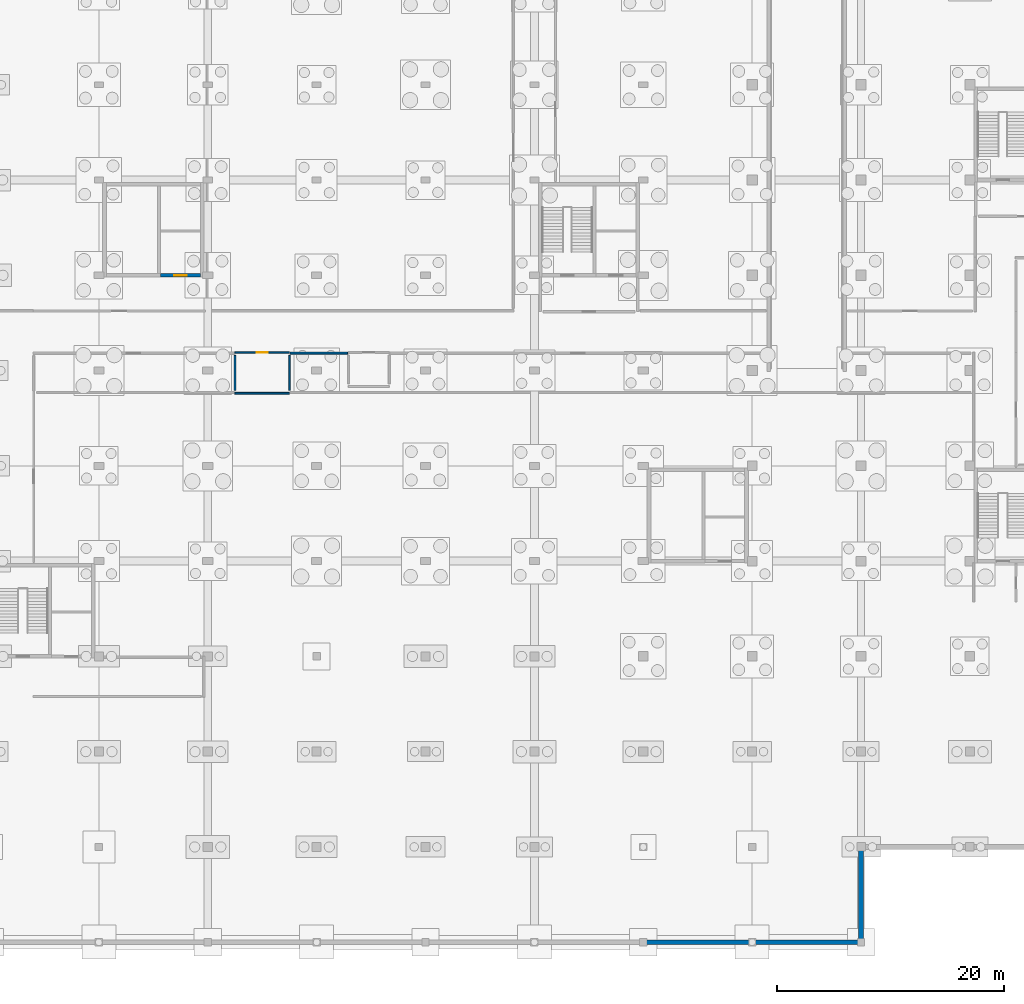
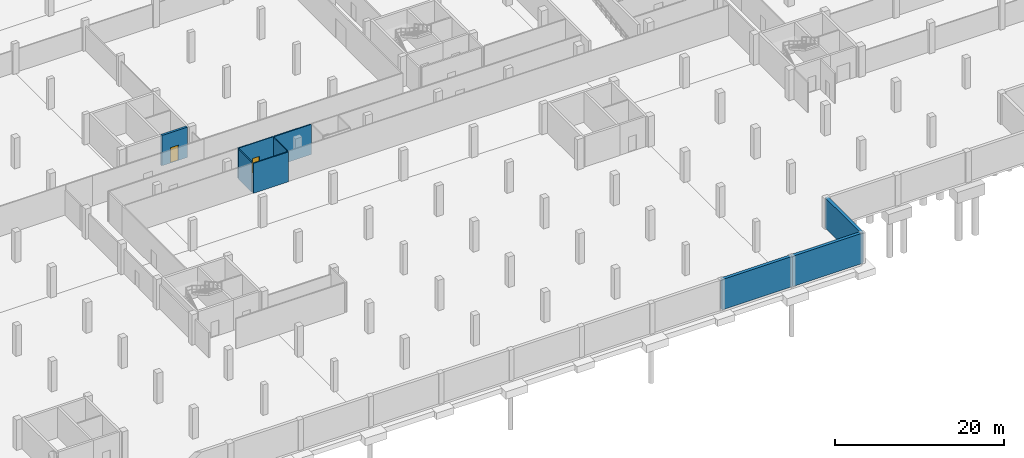
# One storey, part 19 of 26: 9 walls, 2 doors, 2 openings.
"""IFC4 building model written with IfcOpenShell, lengths in metres."""

import ifcopenshell
import ifcopenshell.guid

model = None  # the IFC model being written
_history = None  # IfcOwnerHistory: only IFC2X3 demands one
_inside = {}  # id of a spatial element -> (the spatial element, [elements in it])
_under = {}  # id of a project, library or spatial element -> (it, [spatial elements below it])
_declared = {}  # id of a project -> (the project, [libraries it declares])
_typed = {}  # id of a type object -> (the type object, [elements of that type])
_made_of = {}  # id of a material, layer set ... -> (it, [elements and type objects made of it])


def new_model(schema):
    """Start an empty IFC model of exactly this schema.

    Asked for "IFC4X3", IfcOpenShell would pick the latest addendum, in which some entities
    have other attributes; the version numbers below select the first issue.
    IFC2X3 requires an IfcOwnerHistory on every rooted entity: one is made here for all.
    """
    global model, _history
    if schema == "IFC4X3":
        model = ifcopenshell.file(schema_version=(4, 3, 0, 0))
    else:
        model = ifcopenshell.file(schema=schema)
    _inside.clear()
    _under.clear()
    _declared.clear()
    _typed.clear()
    _made_of.clear()
    _history = None
    if model.schema == "IFC2X3":
        org = make("IfcOrganization", Name="unknown")
        user = make(
            "IfcPersonAndOrganization",
            ThePerson=make("IfcPerson", FamilyName="unknown"),
            TheOrganization=org,
        )
        app = make(
            "IfcApplication",
            ApplicationDeveloper=org,
            Version="unknown",
            ApplicationFullName="unknown",
            ApplicationIdentifier="unknown",
        )
        _history = make(
            "IfcOwnerHistory",
            OwningUser=user,
            OwningApplication=app,
            ChangeAction="ADDED",
            CreationDate=0,
        )
    return model


def make(cls, **values):
    """One entity of the class cls with the attributes given. An attribute that is None is left unset."""
    return model.create_entity(
        cls, **{name: value for name, value in values.items() if value is not None}
    )


def rooted(cls, **values):
    """An entity with a GlobalId (a new one), such as an element, a storey or a relation."""
    return make(cls, GlobalId=ifcopenshell.guid.new(), OwnerHistory=_history, **values)


def si_unit(unit_type, name, prefix=None):
    """IfcSIUnit, for example si_unit("LENGTHUNIT", "METRE", prefix="MILLI")."""
    return make("IfcSIUnit", UnitType=unit_type, Prefix=prefix, Name=name)


def assignment(units):
    """IfcUnitAssignment: the units of a project."""
    return None if units is None else make("IfcUnitAssignment", Units=units)


def point(xyz):
    """IfcCartesianPoint."""
    return None if xyz is None else make("IfcCartesianPoint", Coordinates=xyz)


def direction(xyz):
    """IfcDirection."""
    return None if xyz is None else make("IfcDirection", DirectionRatios=xyz)


def frame(location, z_axis=None, x_axis=None):
    """IfcAxis2Placement3D, a coordinate frame: its origin and axes. An axis left out is left unset."""
    return make(
        "IfcAxis2Placement3D",
        Location=point(location),
        Axis=direction(z_axis),
        RefDirection=direction(x_axis),
    )


def frame_2d(location, x_axis=None):
    """IfcAxis2Placement2D, a coordinate frame in the plane: its origin and x axis."""
    return make(
        "IfcAxis2Placement2D", Location=point(location), RefDirection=direction(x_axis)
    )


def origin():
    """The frame at (0, 0, 0) with its axes left unset."""
    return frame((0.0, 0.0, 0.0))


def place(relative_to, where):
    """IfcLocalPlacement: puts the frame where relative to a parent placement (None: the world)."""
    return make(
        "IfcLocalPlacement", PlacementRelTo=relative_to, RelativePlacement=where
    )


def context(
    kind, dimensions, precision=None, world=None, true_north=None, identifier=None
):
    """IfcGeometricRepresentationContext, for example the 3D "Model" context."""
    return make(
        "IfcGeometricRepresentationContext",
        ContextIdentifier=identifier,
        ContextType=kind,
        CoordinateSpaceDimension=dimensions,
        Precision=precision,
        WorldCoordinateSystem=world,
        TrueNorth=true_north,
    )


def subcontext(parent, identifier, kind, view, scale=None):
    """IfcGeometricRepresentationSubContext, for example "Body" below "Model"."""
    return make(
        "IfcGeometricRepresentationSubContext",
        ContextIdentifier=identifier,
        ContextType=kind,
        ParentContext=parent,
        TargetScale=scale,
        TargetView=view,
    )


def project(units=None, contexts=None):
    """IfcProject with its units and contexts."""
    return rooted(
        "IfcProject",
        Name="project",
        RepresentationContexts=contexts,
        UnitsInContext=assignment(units),
    )


def spatial(cls, under=None, at=None, **own):
    """A site, building, storey or space (cls), placed at a placement, below another one or the project."""
    s = rooted(cls, ObjectPlacement=at, **own)
    if under is not None:
        _under.setdefault(under.id(), (under, []))[1].append(s)
    return s


def profile(cls, at=None, kind="AREA", **sizes):
    """A parametric profile (cls). Its sizes go by their IFC names, for example OverallWidth=200.0."""
    return make(cls, ProfileType=kind, Position=at, **sizes)


def rectangle(**sizes):
    """IfcRectangleProfileDef."""
    return profile("IfcRectangleProfileDef", **sizes)


def extrude(swept, where, along, depth):
    """IfcExtrudedAreaSolid: the profile swept, set in the frame where, extruded along a direction by depth."""
    return make(
        "IfcExtrudedAreaSolid",
        SweptArea=swept,
        Position=where,
        ExtrudedDirection=direction(along),
        Depth=depth,
    )


def shape(context_of_items, identifier, shape_type, items):
    """IfcShapeRepresentation: the items that make up one representation, for example the "Body"."""
    return make(
        "IfcShapeRepresentation",
        ContextOfItems=context_of_items,
        RepresentationIdentifier=identifier,
        RepresentationType=shape_type,
        Items=items,
    )


def material(Name=None, Category=None):
    """IfcMaterial."""
    return make("IfcMaterial", Name=Name, Category=Category)


def layer(
    of_material, thickness, ventilated=None, Name=None, Category=None, Priority=None
):
    """IfcMaterialLayer: one layer of a wall or slab, of a material (None: an air gap)."""
    return make(
        "IfcMaterialLayer",
        Material=of_material,
        LayerThickness=thickness,
        IsVentilated=ventilated,
        Name=Name,
        Category=Category,
        Priority=Priority,
    )


def layer_set(layers, Name=None):
    """IfcMaterialLayerSet."""
    return make("IfcMaterialLayerSet", MaterialLayers=layers, LayerSetName=Name)


def made_of(thing, what):
    """Note that an element or type object is made of a material, layer set ...; save() writes the relation."""
    if what is not None:
        _made_of.setdefault(what.id(), (what, []))[1].append(thing)
    return thing


def type_object(cls, material=None, **own):
    """A type object (cls), such as IfcWallType, which elements share."""
    return made_of(rooted(cls, **own), material)


def element(
    cls,
    number,
    at=None,
    inside=None,
    cuts=None,
    type_object=None,
    material=None,
    context=None,
    identifier="Body",
    shape_type=None,
    held_by="IfcProductDefinitionShape",
    body=None,
    shapes=None,
    **own,
):
    """One element of the class cls, such as IfcWall. Its Tag is "e" and its number.

    at: its placement. inside: the storey or other place that contains it. cuts: it is an
    opening in that element (IfcRelVoidsElement). A single representation is given by context,
    identifier, shape_type and body (its items); several are given by shapes. held_by: the class
    of the entity that holds the representations. save() writes the other relations.
    """
    e = rooted(cls, Tag="e%d" % number, ObjectPlacement=at, **own)
    if body is not None:
        shapes = [shape(context, identifier, shape_type, body)]
    if shapes is not None:
        e.Representation = make(held_by, Representations=shapes)
    if inside is not None:
        _inside.setdefault(inside.id(), (inside, []))[1].append(e)
    if cuts is not None:
        rooted(
            "IfcRelVoidsElement", RelatingBuildingElement=cuts, RelatedOpeningElement=e
        )
    if type_object is not None:
        _typed.setdefault(type_object.id(), (type_object, []))[1].append(e)
    return made_of(e, material)


def fill(opening, filler):
    """IfcRelFillsElement: the door or window that sits in an opening."""
    return rooted(
        "IfcRelFillsElement",
        RelatingOpeningElement=opening,
        RelatedBuildingElement=filler,
    )


def aggregate(whole, parts):
    """IfcRelAggregates: a whole, such as a stair, and the parts it consists of."""
    return rooted("IfcRelAggregates", RelatingObject=whole, RelatedObjects=parts)


def save(model, path):
    """Write the relations noted so far, then the file.

    IfcRelAggregates (storeys below a building ...), IfcRelContainedInSpatialStructure (elements
    in a storey), IfcRelDefinesByType, IfcRelAssociatesMaterial and IfcRelDeclares: one each for
    every whole, place, type object, material and project.
    """
    for whole, parts in _under.values():
        aggregate(whole, parts)
    for where, things in _inside.values():
        rooted(
            "IfcRelContainedInSpatialStructure",
            RelatedElements=things,
            RelatingStructure=where,
        )
    for kind, things in _typed.values():
        rooted("IfcRelDefinesByType", RelatedObjects=things, RelatingType=kind)
    for what, things in _made_of.values():
        rooted("IfcRelAssociatesMaterial", RelatedObjects=things, RelatingMaterial=what)
    for by, libraries in _declared.values():
        rooted("IfcRelDeclares", RelatingContext=by, RelatedDefinitions=libraries)
    model.write(path)


model = new_model("IFC4")

# Units and contexts
model_context = context("Model", 3, precision=1e-05, world=origin(), true_north=direction((0.0, 1.0)))
body_context = subcontext(model_context, "Body", "Model", "MODEL_VIEW")
ifc_project = project(units=[si_unit("LENGTHUNIT", "METRE"), si_unit("AREAUNIT", "SQUARE_METRE"), si_unit("VOLUMEUNIT", "CUBIC_METRE"), si_unit("PLANEANGLEUNIT", "RADIAN"), si_unit("MASSUNIT", "GRAM", prefix="KILO")], contexts=[model_context])

# Site, building, storey
site_placement = place(None, origin())
site = spatial("IfcSite", under=ifc_project, at=site_placement, CompositionType="ELEMENT")
building_placement = place(site_placement, origin())
building = spatial("IfcBuilding", under=site, at=building_placement, Name="Lornevale Opera House", CompositionType="ELEMENT")
storey_placement = place(building_placement, frame((0.0, 0.0, -9.60009765625)))
storey = spatial("IfcBuildingStorey", under=building, at=storey_placement, Name="B2", CompositionType="ELEMENT", Elevation=-9.60009765625)

# Walls
ifc_material_1 = material(Name="Concrete 40 MPa (CSA A23.1 C-1)", Category="concrete")
ifc_layer_1 = layer(ifc_material_1, 0.419921875)
ifc_layer_set_1 = layer_set([ifc_layer_1], Name="Concrete 40 MPa (CSA A23.1 C-1)")
wall_type_1 = type_object("IfcWallType", Name="Basement Retaining Wall 420", PredefinedType="USERDEFINED", material=ifc_layer_set_1)
wall_1_placement = place(storey_placement, frame((115.199951171875, 0.0, 0.0), z_axis=(0.0, 0.0, 1.0), x_axis=(-1.0, 0.0, 0.0)))
element("IfcWall", 1, at=wall_1_placement, inside=storey, type_object=wall_type_1, Name="Basement Escarpment Plinth Wall WL-EXT-0037", ObjectType="RETAINING WALL", PredefinedType="USERDEFINED", context=body_context, shape_type="SweptSolid", body=[
    extrude(rectangle(XDim=9.599853515625, YDim=0.419921875, at=frame_2d((4.7998046875, 0.0))), origin(), (0.0, 0.0, 1.0), 4.380126953125),
])
wall_2_placement = place(storey_placement, frame((124.800048828125, 0.0, 0.0), z_axis=(0.0, 0.0, 1.0), x_axis=(-1.0, 0.0, 0.0)))
element("IfcWall", 2, at=wall_2_placement, inside=storey, type_object=wall_type_1, Name="Basement Escarpment Plinth Wall WL-EXT-0039", ObjectType="RETAINING WALL", PredefinedType="USERDEFINED", context=body_context, shape_type="SweptSolid", body=[
    extrude(rectangle(XDim=9.60009765625, YDim=0.419921875, at=frame_2d((4.800048828125, 0.0))), origin(), (0.0, 0.0, 1.0), 4.380126953125),
])
wall_3_placement = place(storey_placement, frame((124.800048828125, 8.39990234375, 0.0), z_axis=(0.0, 0.0, 1.0), x_axis=(0.0, -1.0, 0.0)))
element("IfcWall", 3, at=wall_3_placement, inside=storey, type_object=wall_type_1, Name="Basement Escarpment Plinth Wall WL-EXT-0040", ObjectType="RETAINING WALL", PredefinedType="USERDEFINED", context=body_context, shape_type="SweptSolid", body=[
    extrude(rectangle(XDim=8.39990234375, YDim=0.419921875, at=frame_2d((4.199951171875, 0.0))), origin(), (0.0, 0.0, 1.0), 4.380126953125),
])
ifc_material_2 = material(Name="Acoustic Mineral-Core Gypsum Partition", Category="gypsum")
ifc_layer_2 = layer(ifc_material_2, 0.1650390625)
ifc_layer_set_2 = layer_set([ifc_layer_2], Name="Acoustic Mineral-Core Gypsum Partition")
wall_type_2 = type_object("IfcWallType", Name="Corridor Rated Partition 165", PredefinedType="PARTITIONING", material=ifc_layer_set_2)
wall_4_placement = place(storey_placement, frame((74.4599609375, 51.93994140625, 0.0), z_axis=(0.0, 0.0, 1.0), x_axis=(1.0, 0.0, 0.0)))
element("IfcWall", 4, at=wall_4_placement, inside=storey, type_object=wall_type_2, Name="B2 Partition WL-INT-0542", PredefinedType="PARTITIONING", context=body_context, shape_type="SweptSolid", body=[
    extrude(rectangle(XDim=5.080078125, YDim=0.1650390625, at=frame_2d((2.5400390625, 0.0))), origin(), (0.0, 0.0, 1.0), 4.35009765625),
])

# Wall, opening, door
ifc_layer_3 = layer(ifc_material_1, 0.280029296875)
ifc_layer_set_3 = layer_set([ifc_layer_3], Name="Concrete 40 MPa (CSA A23.1 C-1)")
wall_type_3 = type_object("IfcWallType", Name="Elevator Shaft Wall 280", PredefinedType="SHEAR", material=ifc_layer_set_3)
wall_5_placement = place(storey_placement, frame((63.0400390625, 58.800048828125, 0.0), z_axis=(0.0, 0.0, 1.0), x_axis=(1.0, 0.0, 0.0)))
wall_5 = element("IfcWall", 5, at=wall_5_placement, inside=storey, type_object=wall_type_3, Name="Auditorium West Tier Core Elevator Shaft Wall 280 WL-COR-0149", PredefinedType="SHEAR", context=body_context, shape_type="SweptSolid", body=[
    extrude(rectangle(XDim=3.5, YDim=0.280029296875, at=frame_2d((1.75, 0.0))), origin(), (0.0, 0.0, 1.0), 4.380126953125),
])
opening_1_placement = place(wall_5_placement, frame((1.2099609375, 0.0, 0.0)))
opening_1 = element("IfcOpeningElement", 6, at=opening_1_placement, cuts=wall_5, Name="Opening DR-T25", PredefinedType="OPENING", context=body_context, shape_type="SweptSolid", body=[
    extrude(rectangle(XDim=1.10009765625, YDim=2.199951171875, at=frame_2d((0.550048828125, 1.10009765625))), frame((0.0, 0.14990234375, 0.0), z_axis=(0.0, -1.0, 0.0), x_axis=(1.0, 0.0, 0.0)), (0.0, 0.0, 1.0), 0.300048828125),
])
ifc_material_3 = material(Name="Painted Hollow Metal Door Steel", Category="steel")
ifc_layer_4 = layer(ifc_material_3, 2.199951171875)
ifc_layer_set_4 = layer_set([ifc_layer_4], Name="Painted Hollow Metal Door Steel")
door_type_1 = type_object("IfcDoorType", Name="Passenger Lift Landing Door 1100x2200", OperationType="NOTDEFINED", PredefinedType="DOOR", material=ifc_layer_set_4)
door_1_placement = place(opening_1_placement, origin())
door_1 = element("IfcDoor", 7, at=door_1_placement, inside=storey, type_object=door_type_1, Name="L-P4 Landing Door B2", OperationType="SLIDING_TO_LEFT", OverallHeight=2.199951171875, OverallWidth=1.10009765625, PredefinedType="DOOR", context=body_context, shape_type="SweptSolid", body=[
    extrude(rectangle(XDim=1.10009765625, YDim=2.199951171875, at=frame_2d((0.550048828125, 1.10009765625))), frame((0.0, 0.02490234375, 0.0), z_axis=(0.0, -1.0, 0.0), x_axis=(1.0, 0.0, 0.0)), (0.0, 0.0, 1.0), 0.050048828125),
])
fill(opening_1, door_1)

# Wall
ifc_material_4 = material(Name="Moisture-Resistant Ceramic & Gypsum Partition", Category="gypsum")
ifc_layer_5 = layer(ifc_material_4, 0.139892578125)
ifc_layer_set_5 = layer_set([ifc_layer_5], Name="Moisture-Resistant Ceramic & Gypsum Partition")
wall_type_4 = type_object("IfcWallType", Name="Washroom Moisture Partition 140", PredefinedType="PARTITIONING", material=ifc_layer_set_5)
wall_6_placement = place(storey_placement, frame((69.60009765625, 48.39990234375, 0.0), z_axis=(0.0, 0.0, 1.0), x_axis=(1.0, 0.0, 0.0)))
element("IfcWall", 8, at=wall_6_placement, inside=storey, type_object=wall_type_4, Name="Sub-Stage Crew Washroom S Wall WL-INT-0424", PredefinedType="PARTITIONING", context=body_context, shape_type="SweptSolid", body=[
    extrude(rectangle(XDim=4.7998046875, YDim=0.139892578125, at=frame_2d((2.39990234375, 0.0))), origin(), (0.0, 0.0, 1.0), 4.320068359375),
])

# Wall, opening, door
wall_7_placement = place(storey_placement, frame((69.60009765625, 52.0, 0.0), z_axis=(0.0, 0.0, 1.0), x_axis=(1.0, 0.0, 0.0)))
wall_7 = element("IfcWall", 9, at=wall_7_placement, inside=storey, type_object=wall_type_4, Name="Sub-Stage Crew Washroom N Wall WL-INT-0425", PredefinedType="PARTITIONING", context=body_context, shape_type="SweptSolid", body=[
    extrude(rectangle(XDim=4.7998046875, YDim=0.139892578125, at=frame_2d((2.39990234375, 0.0))), origin(), (0.0, 0.0, 1.0), 4.320068359375),
])
opening_2_placement = place(wall_7_placement, frame((1.925048828125, 0.0, 0.0)))
opening_2 = element("IfcOpeningElement", 10, at=opening_2_placement, cuts=wall_7, Name="Opening DR-T22", PredefinedType="OPENING", context=body_context, shape_type="SweptSolid", body=[
    extrude(rectangle(XDim=0.949951171875, YDim=2.14990234375, at=frame_2d((0.47509765625, 1.074951171875))), frame((0.0, 0.079833984375, 0.0), z_axis=(0.0, -1.0, 0.0), x_axis=(1.0, 0.0, 0.0)), (0.0, 0.0, 1.0), 0.159912109375),
])
ifc_material_5 = material(Name="White Oak Acoustic Panelling", Category="wood")
ifc_layer_6 = layer(ifc_material_5, 2.14990234375)
ifc_layer_set_6 = layer_set([ifc_layer_6], Name="White Oak Acoustic Panelling")
door_type_2 = type_object("IfcDoorType", Name="Washroom Door R 950x2150", OperationType="NOTDEFINED", PredefinedType="DOOR", material=ifc_layer_set_6)
door_2_placement = place(opening_2_placement, origin())
door_2 = element("IfcDoor", 11, at=door_2_placement, inside=storey, type_object=door_type_2, Name="Sub-Stage Crew Washroom Door", OperationType="SINGLE_SWING_RIGHT", OverallHeight=2.14990234375, OverallWidth=0.949951171875, PredefinedType="DOOR", context=body_context, shape_type="SweptSolid", body=[
    extrude(rectangle(XDim=0.949951171875, YDim=2.14990234375, at=frame_2d((0.47509765625, 1.074951171875))), frame((0.0, 0.02490234375, 0.0), z_axis=(0.0, -1.0, 0.0), x_axis=(1.0, 0.0, 0.0)), (0.0, 0.0, 1.0), 0.050048828125),
])
fill(opening_2, door_2)

# Walls
for number, where, z_axis, x_axis, name in (
    (12, (69.60009765625, 48.64990234375, 0.0), (0.0, 0.0, 1.0), (0.0, 1.0, 0.0), "Sub-Stage Crew Washroom W Wall WL-INT-0426"),
    (13, (74.39990234375, 48.64990234375, 0.0), (0.0, 0.0, 1.0), (0.0, 1.0, 0.0), "Sub-Stage Crew Washroom E Wall WL-INT-0427"),
):
    element("IfcWall", number, at=place(storey_placement, frame(where, z_axis=z_axis, x_axis=x_axis)), inside=storey, type_object=wall_type_4, Name=name, PredefinedType="PARTITIONING", context=body_context, shape_type="SweptSolid", body=[
        extrude(rectangle(XDim=3.10009765625, YDim=0.139892578125, at=frame_2d((1.550048828125, 0.0))), origin(), (0.0, 0.0, 1.0), 4.320068359375),
    ])

save(model, "model.ifc")
